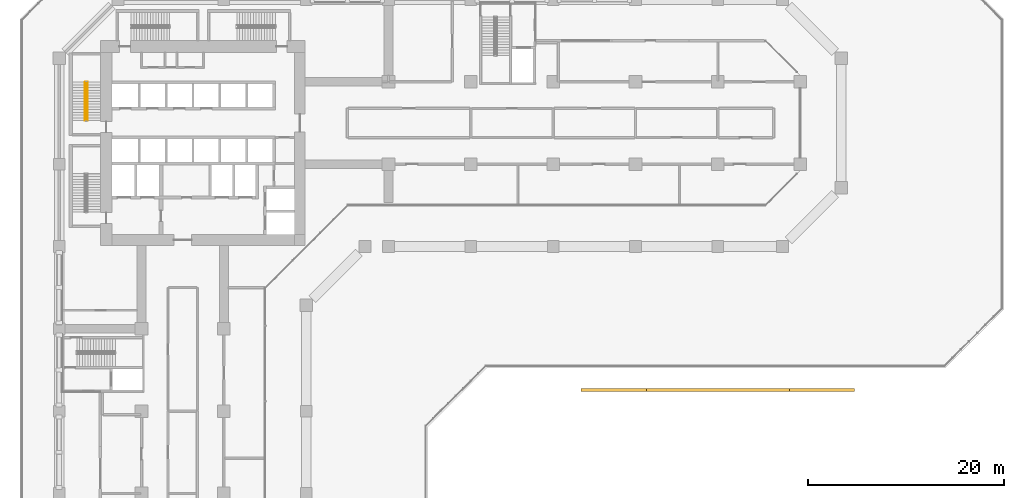
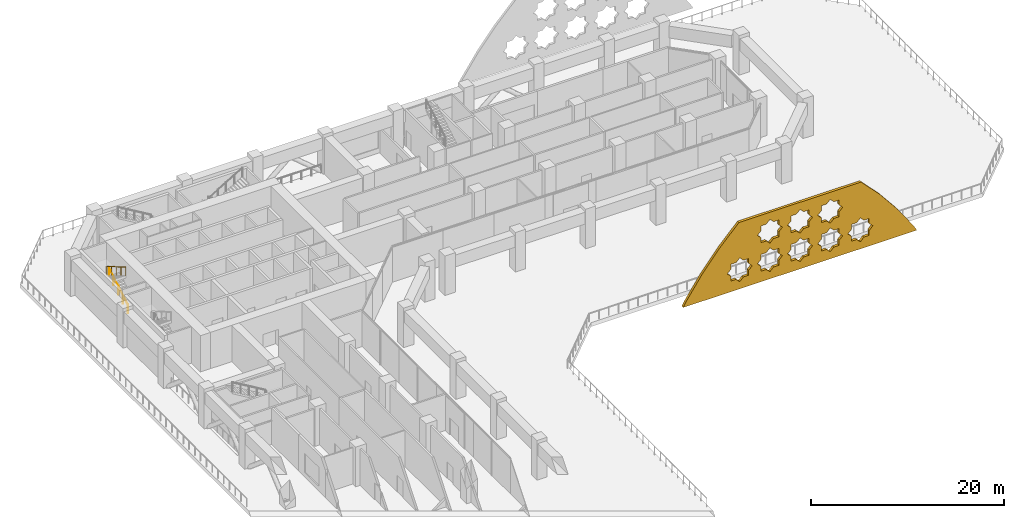
# One storey, part 16 of 19: 2 railings, 1 covering.
"""IFC4 building model written with IfcOpenShell, lengths in metres."""

from ifc_helpers import new_model, si_unit, direction, frame, origin, origin_2d, place, context, subcontext, project, spatial, polyline, circle, outline, extrude, material, layer, layer_set, type_object, element, save


model = new_model("IFC4")

# Units and contexts
model_context = context("Model", 3, precision=1e-05, world=origin(), true_north=direction((0.0, 1.0)))
body_context = subcontext(model_context, "Body", "Model", "MODEL_VIEW")
ifc_project = project(units=[si_unit("LENGTHUNIT", "METRE"), si_unit("AREAUNIT", "SQUARE_METRE"), si_unit("VOLUMEUNIT", "CUBIC_METRE"), si_unit("PLANEANGLEUNIT", "RADIAN"), si_unit("MASSUNIT", "GRAM", prefix="KILO")], contexts=[model_context])

# Site, building, storey
site_placement = place(None, origin())
site = spatial("IfcSite", under=ifc_project, at=site_placement, CompositionType="ELEMENT")
building_placement = place(site_placement, origin())
building = spatial("IfcBuilding", under=site, at=building_placement, Name="Kawkab Arch Medical Tower", CompositionType="ELEMENT")
storey_placement = place(building_placement, frame((0.0, 0.0, 34.199951171875)))
storey = spatial("IfcBuildingStorey", under=building, at=storey_placement, Name="L07", CompositionType="ELEMENT", Elevation=34.199951171875)

# Covering
ifc_material_1 = material(Name="Perforated bronze anodised aluminium, eight-point star pattern", Category="aluminium")
ifc_layer = layer(ifc_material_1, 0.300048828125)
ifc_layer_set = layer_set([ifc_layer], Name="Perforated bronze anodised aluminium, eight-point star pattern")
covering_type = type_object("IfcCoveringType", Name="Spandrel star screen 300", PredefinedType="USERDEFINED", material=ifc_layer_set)
covering_placement = place(storey_placement, frame((0.0, -39.699951171875, -34.199951171875), z_axis=(0.0, -1.0, 0.0), x_axis=(1.0, 0.0, 0.0)))
element("IfcCovering", 1, at=covering_placement, inside=storey, type_object=covering_type, Name="Spandrel screen S 6.1", ObjectType="SCREEN", PredefinedType="USERDEFINED", context=body_context, shape_type="SweptSolid", body=[
    extrude(outline(polyline([(53.24609375, 34.199951171875), (81.154052734375, 34.199951171875), (80.775634765625, 34.8583984375), (78.877685546875, 37.62109375), (76.763916015625, 40.223388671875), (74.4931640625, 42.60009765625), (59.90673828125, 42.60009765625), (57.63623046875, 40.223388671875), (55.522216796875, 37.62109375), (53.62451171875, 34.8583984375), (53.24609375, 34.199951171875)]), holes=[polyline([(61.5, 36.60009765625), (61.060791015625, 37.039306640625), (61.060791015625, 37.66064453125), (60.439208984375, 37.66064453125), (60.0, 38.10009765625), (59.560791015625, 37.66064453125), (58.939208984375, 37.66064453125), (58.939208984375, 37.039306640625), (58.5, 36.60009765625), (58.939208984375, 36.16064453125), (58.939208984375, 35.539306640625), (59.560791015625, 35.539306640625), (60.0, 35.10009765625), (60.439208984375, 35.539306640625), (61.060791015625, 35.539306640625), (61.060791015625, 36.16064453125), (61.5, 36.60009765625)]), polyline([(65.10009765625, 36.60009765625), (64.66064453125, 37.039306640625), (64.66064453125, 37.66064453125), (64.039306640625, 37.66064453125), (63.60009765625, 38.10009765625), (63.16064453125, 37.66064453125), (62.539306640625, 37.66064453125), (62.539306640625, 37.039306640625), (62.10009765625, 36.60009765625), (62.539306640625, 36.16064453125), (62.539306640625, 35.539306640625), (63.16064453125, 35.539306640625), (63.60009765625, 35.10009765625), (64.039306640625, 35.539306640625), (64.66064453125, 35.539306640625), (64.66064453125, 36.16064453125), (65.10009765625, 36.60009765625)]), polyline([(65.10009765625, 40.199951171875), (64.66064453125, 40.639404296875), (64.66064453125, 41.2607421875), (64.039306640625, 41.2607421875), (63.60009765625, 41.699951171875), (63.16064453125, 41.2607421875), (62.539306640625, 41.2607421875), (62.539306640625, 40.639404296875), (62.10009765625, 40.199951171875), (62.539306640625, 39.7607421875), (62.539306640625, 39.139404296875), (63.16064453125, 39.139404296875), (63.60009765625, 38.699951171875), (64.039306640625, 39.139404296875), (64.66064453125, 39.139404296875), (64.66064453125, 39.7607421875), (65.10009765625, 40.199951171875)]), polyline([(68.699951171875, 36.60009765625), (68.2607421875, 37.039306640625), (68.2607421875, 37.66064453125), (67.639404296875, 37.66064453125), (67.199951171875, 38.10009765625), (66.7607421875, 37.66064453125), (66.139404296875, 37.66064453125), (66.139404296875, 37.039306640625), (65.699951171875, 36.60009765625), (66.139404296875, 36.16064453125), (66.139404296875, 35.539306640625), (66.7607421875, 35.539306640625), (67.199951171875, 35.10009765625), (67.639404296875, 35.539306640625), (68.2607421875, 35.539306640625), (68.2607421875, 36.16064453125), (68.699951171875, 36.60009765625)]), polyline([(68.699951171875, 40.199951171875), (68.2607421875, 40.639404296875), (68.2607421875, 41.2607421875), (67.639404296875, 41.2607421875), (67.199951171875, 41.699951171875), (66.7607421875, 41.2607421875), (66.139404296875, 41.2607421875), (66.139404296875, 40.639404296875), (65.699951171875, 40.199951171875), (66.139404296875, 39.7607421875), (66.139404296875, 39.139404296875), (66.7607421875, 39.139404296875), (67.199951171875, 38.699951171875), (67.639404296875, 39.139404296875), (68.2607421875, 39.139404296875), (68.2607421875, 39.7607421875), (68.699951171875, 40.199951171875)]), polyline([(72.300048828125, 36.60009765625), (71.860595703125, 37.039306640625), (71.860595703125, 37.66064453125), (71.2392578125, 37.66064453125), (70.800048828125, 38.10009765625), (70.360595703125, 37.66064453125), (69.7392578125, 37.66064453125), (69.7392578125, 37.039306640625), (69.300048828125, 36.60009765625), (69.7392578125, 36.16064453125), (69.7392578125, 35.539306640625), (70.360595703125, 35.539306640625), (70.800048828125, 35.10009765625), (71.2392578125, 35.539306640625), (71.860595703125, 35.539306640625), (71.860595703125, 36.16064453125), (72.300048828125, 36.60009765625)]), polyline([(72.300048828125, 40.199951171875), (71.860595703125, 40.639404296875), (71.860595703125, 41.2607421875), (71.2392578125, 41.2607421875), (70.800048828125, 41.699951171875), (70.360595703125, 41.2607421875), (69.7392578125, 41.2607421875), (69.7392578125, 40.639404296875), (69.300048828125, 40.199951171875), (69.7392578125, 39.7607421875), (69.7392578125, 39.139404296875), (70.360595703125, 39.139404296875), (70.800048828125, 38.699951171875), (71.2392578125, 39.139404296875), (71.860595703125, 39.139404296875), (71.860595703125, 39.7607421875), (72.300048828125, 40.199951171875)]), polyline([(75.89990234375, 36.60009765625), (75.460693359375, 37.039306640625), (75.460693359375, 37.66064453125), (74.83935546875, 37.66064453125), (74.39990234375, 38.10009765625), (73.960693359375, 37.66064453125), (73.33935546875, 37.66064453125), (73.33935546875, 37.039306640625), (72.89990234375, 36.60009765625), (73.33935546875, 36.16064453125), (73.33935546875, 35.539306640625), (73.960693359375, 35.539306640625), (74.39990234375, 35.10009765625), (74.83935546875, 35.539306640625), (75.460693359375, 35.539306640625), (75.460693359375, 36.16064453125), (75.89990234375, 36.60009765625)])]), origin(), (0.0, 0.0, 1.0), 0.300048828125),
])

# Railings
ifc_material_2 = material(Name="Stainless steel", Category="steel")
railing_type = type_object("IfcRailingType", Name="Stair guard 1100", PredefinedType="GUARDRAIL", material=ifc_material_2)
railing_1_placement = place(storey_placement, frame((2.89990234375, -12.35009765625, 0.166748046875)))
element("IfcRailing", 2, at=railing_1_placement, inside=storey, type_object=railing_type, Name="L07 ST1 stair guard 1", PredefinedType="GUARDRAIL", context=body_context, shape_type="SweptSolid", body=[
    extrude(circle(Radius=0.02392578125, at=origin_2d()), frame((0.0, 0.0, 1.076171875), z_axis=(0.0, 0.859310244771, 0.511454693235), x_axis=(-1.0, 0.0, 0.0)), (0.0, 0.0, 1.0), 4.56201171875),
    extrude(circle(Radius=0.02099609375, at=origin_2d()), origin(), (0.0, 0.0, 1.0), 1.052001953125),
    extrude(circle(Radius=0.02099609375, at=origin_2d()), frame((0.0, 0.97998046875, 0.583251953125)), (0.0, 0.0, 1.0), 1.052001953125),
    extrude(circle(Radius=0.02099609375, at=origin_2d()), frame((0.0, 1.9599609375, 1.16650390625)), (0.0, 0.0, 1.0), 1.052001953125),
    extrude(circle(Radius=0.02099609375, at=origin_2d()), frame((0.0, 2.940185546875, 1.75)), (0.0, 0.0, 1.0), 1.052001953125),
    extrude(circle(Radius=0.02099609375, at=origin_2d()), frame((0.0, 3.920166015625, 2.333251953125)), (0.0, 0.0, 1.0), 1.052001953125),
])
railing_2_placement = place(storey_placement, frame((2.64990234375, -8.429931640625, 2.666748046875)))
element("IfcRailing", 3, at=railing_2_placement, inside=storey, type_object=railing_type, Name="L07 ST1 stair guard 3", PredefinedType="GUARDRAIL", context=body_context, shape_type="SweptSolid", body=[
    extrude(circle(Radius=0.02392578125, at=origin_2d()), frame((0.0, 0.0, 1.076171875), z_axis=(0.0, -0.859310244771, 0.511454693235), x_axis=(1.0, 0.0, 0.0)), (0.0, 0.0, 1.0), 4.56201171875),
    extrude(circle(Radius=0.02099609375, at=origin_2d()), origin(), (0.0, 0.0, 1.0), 1.052001953125),
    extrude(circle(Radius=0.02099609375, at=origin_2d()), frame((0.0, -0.97998046875, 0.583251953125)), (0.0, 0.0, 1.0), 1.052001953125),
    extrude(circle(Radius=0.02099609375, at=origin_2d()), frame((0.0, -1.9599609375, 1.16650390625)), (0.0, 0.0, 1.0), 1.052001953125),
    extrude(circle(Radius=0.02099609375, at=origin_2d()), frame((0.0, -2.940185546875, 1.75)), (0.0, 0.0, 1.0), 1.052001953125),
    extrude(circle(Radius=0.02099609375, at=origin_2d()), frame((0.0, -3.920166015625, 2.333251953125)), (0.0, 0.0, 1.0), 1.052001953125),
])

save(model, "model.ifc")
